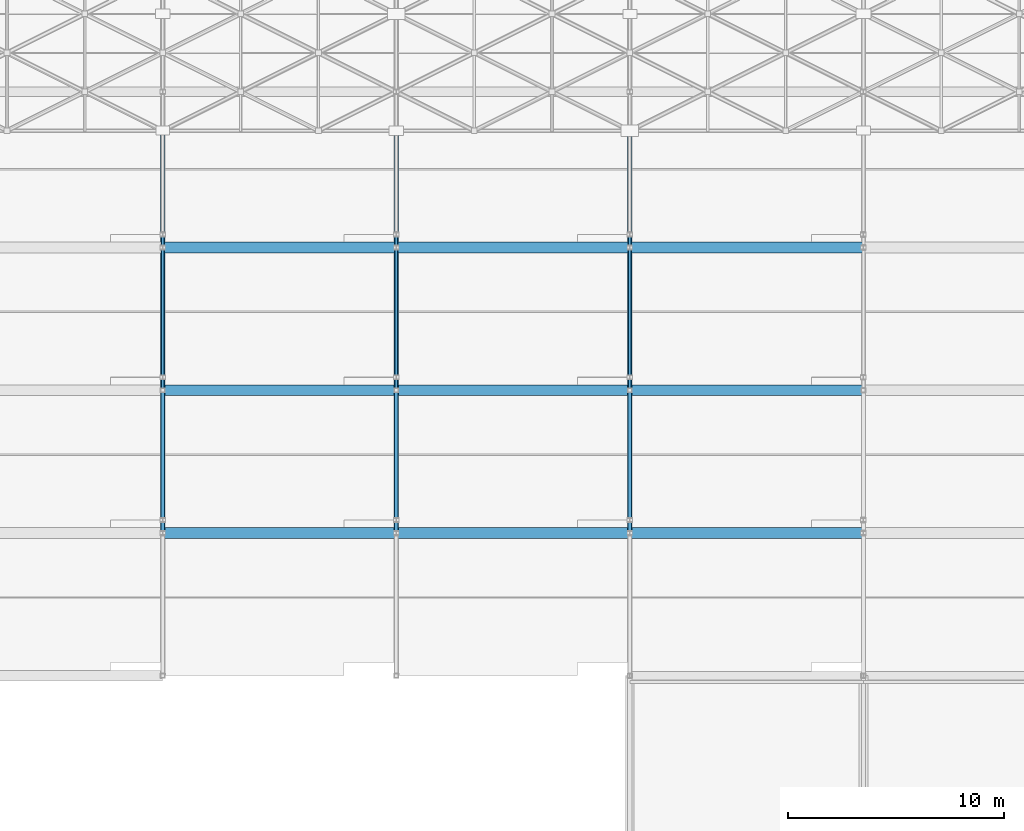
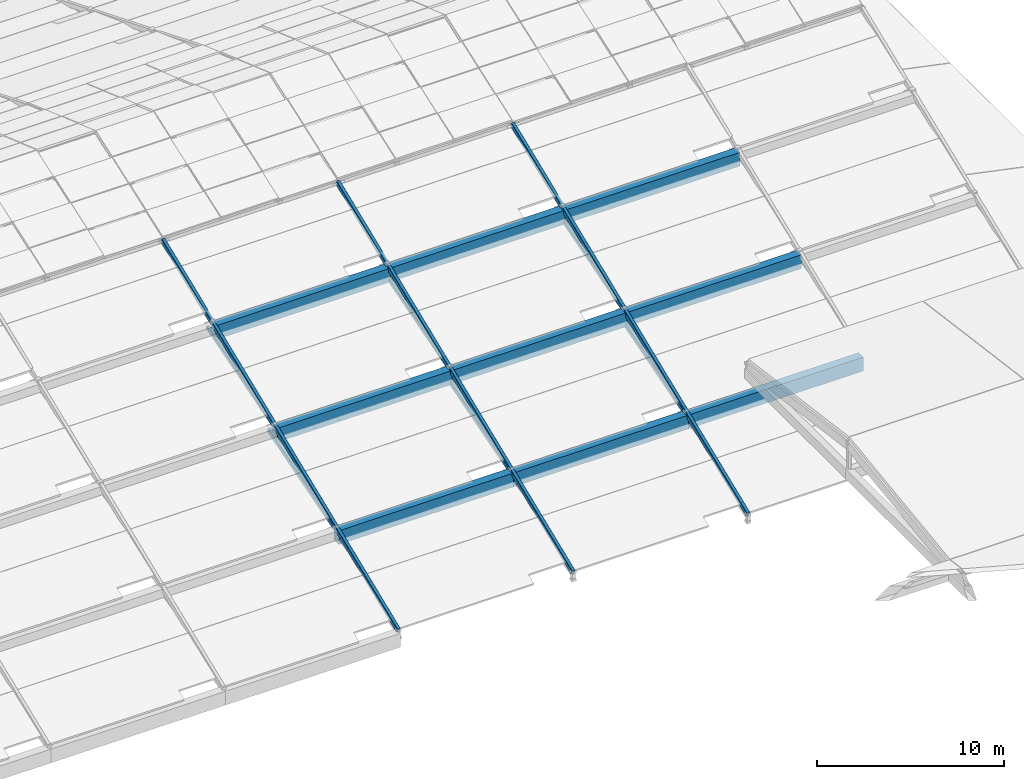
# One storey, part 57 of 112: 9 beams, 9 members.
"""IFC4 building model written with IfcOpenShell, lengths in metres."""

from ifc_helpers import new_model, si_unit, direction, frame, origin, origin_2d, place, context, subcontext, project, spatial, rectangle, hollow_rectangle, extrude, material, material_profile, profile_set, type_object, element, save


model = new_model("IFC4")

# Units and contexts
model_context = context("Model", 3, precision=1e-05, world=origin(), true_north=direction((0.0, 1.0)))
body_context = subcontext(model_context, "Body", "Model", "MODEL_VIEW")
ifc_project = project(units=[si_unit("LENGTHUNIT", "METRE"), si_unit("AREAUNIT", "SQUARE_METRE"), si_unit("VOLUMEUNIT", "CUBIC_METRE"), si_unit("PLANEANGLEUNIT", "RADIAN"), si_unit("MASSUNIT", "GRAM", prefix="KILO")], contexts=[model_context])

# Site, building, storey
site_placement = place(None, origin())
site = spatial("IfcSite", under=ifc_project, at=site_placement, CompositionType="ELEMENT")
building_placement = place(site_placement, origin())
building = spatial("IfcBuilding", under=site, at=building_placement, Name="Zwinboog Wholesale Market", CompositionType="ELEMENT")
storey_placement = place(building_placement, frame((0.0, 0.0, 19.080078125)))
storey = spatial("IfcBuildingStorey", under=building, at=storey_placement, Name="Roof", CompositionType="ELEMENT", Elevation=19.080078125)

# Beams
ifc_material_1 = material(Name="Precast concrete C45/55", Category="concrete")
ifc_material_profile_1 = material_profile(ifc_material_1, rectangle(XDim=0.5, YDim=0.89990234375, at=origin_2d()), Name="PC 500x900")
ifc_profile_set_1 = profile_set([ifc_material_profile_1], Name="Precast concrete C45/55")
beam_type = type_object("IfcBeamType", Name="BT-06", PredefinedType="BEAM", material=ifc_profile_set_1)
for number, where, z_axis, x_axis, name in (
    (1, (129.60009765625, 49.800048828125, -7.402099609375), (1.0, 0.0, 0.0), (0.0, 1.0, 0.0), "EB-01 (BMG-Roof-1296-0498-1112)"),
    (2, (129.60009765625, 56.39990234375, -4.716064453125), (1.0, 0.0, 0.0), (0.0, 1.0, 0.0), "EB-01 (BMG-Roof-1296-0564-1113)"),
    (3, (129.60009765625, 63.0, -2.031982421875), (1.0, 0.0, 0.0), (0.0, 1.0, 0.0), "EB-01 (BMG-Roof-1296-0630-1114)"),
):
    element("IfcBeam", number, at=place(storey_placement, frame(where, z_axis=z_axis, x_axis=x_axis)), inside=storey, type_object=beam_type, Name=name, PredefinedType="BEAM", context=body_context, shape_type="SweptSolid", body=[
        extrude(rectangle(XDim=0.5, YDim=0.89990234375, at=origin_2d()), origin(), (0.0, 0.0, 1.0), 10.7998046875),
    ])
for number, where, z_axis, x_axis, name in (
    (4, (140.39990234375, 49.800048828125, -7.402099609375), (1.0, 0.0, 0.0), (0.0, 1.0, 0.0), "EB-01 (BMG-Roof-1404-0498-1121)"),
    (5, (140.39990234375, 56.39990234375, -4.716064453125), (1.0, 0.0, 0.0), (0.0, 1.0, 0.0), "EB-01 (BMG-Roof-1404-0564-1122)"),
    (6, (140.39990234375, 63.0, -2.031982421875), (1.0, 0.0, 0.0), (0.0, 1.0, 0.0), "EB-01 (BMG-Roof-1404-0630-1123)"),
    (7, (151.199951171875, 49.800048828125, -7.402099609375), (1.0, 0.0, 0.0), (0.0, 1.0, 0.0), "EB-01 (BMG-Roof-1512-0498-1130)"),
    (8, (151.199951171875, 56.39990234375, -4.716064453125), (1.0, 0.0, 0.0), (0.0, 1.0, 0.0), "EB-01 (BMG-Roof-1512-0564-1131)"),
    (9, (151.199951171875, 63.0, -2.031982421875), (1.0, 0.0, 0.0), (0.0, 1.0, 0.0), "EB-01 (BMG-Roof-1512-0630-1132)"),
):
    element("IfcBeam", number, at=place(storey_placement, frame(where, z_axis=z_axis, x_axis=x_axis)), inside=storey, type_object=beam_type, Name=name, PredefinedType="BEAM", context=body_context, shape_type="SweptSolid", body=[
        extrude(rectangle(XDim=0.5, YDim=0.89990234375, at=origin_2d()), origin(), (0.0, 0.0, 1.0), 10.800048828125),
    ])

# Members
ifc_material_2 = material(Name="Steel S355", Category="steel")
ifc_material_profile_2 = material_profile(ifc_material_2, hollow_rectangle(XDim=0.199951171875, YDim=0.300048828125, WallThickness=0.012451171875, InnerFilletRadius=0.012451171875, OuterFilletRadius=0.02490234375, at=origin_2d()), Name="RHS 300x200x12.5")
ifc_profile_set_2 = profile_set([ifc_material_profile_2], Name="Steel S355")
member_type_1 = type_object("IfcMemberType", Name="MT-01", PredefinedType="CHORD", material=ifc_profile_set_2)
member_1_placement = place(storey_placement, frame((129.60009765625, 43.199951171875, -9.580078125), z_axis=(0.0, 0.926947185036, 0.375191839135), x_axis=(-1.0, 0.0, 0.0)))
element("IfcMember", 10, at=member_1_placement, inside=storey, type_object=member_type_1, Name="DC-01 (MEM-Roof-0181)", PredefinedType="CHORD", context=body_context, shape_type="SweptSolid", body=[
    extrude(hollow_rectangle(XDim=0.199951171875, YDim=0.300048828125, WallThickness=0.012451171875, InnerFilletRadius=0.012451171875, OuterFilletRadius=0.02490234375, at=origin_2d()), origin(), (0.0, 0.0, 1.0), 27.18603515625),
])
member_2_placement = place(storey_placement, frame((129.60009765625, 49.800048828125, -7.0), z_axis=(0.0, 0.958194819429, 0.286116563694), x_axis=(-1.0, 0.0, 0.0)))
element("IfcMember", 11, at=member_2_placement, inside=storey, type_object=member_type_1, Name="DC-01 (MEM-Roof-0187)", PredefinedType="CHORD", context=body_context, shape_type="SweptSolid", body=[
    extrude(hollow_rectangle(XDim=0.199951171875, YDim=0.300048828125, WallThickness=0.012451171875, InnerFilletRadius=0.012451171875, OuterFilletRadius=0.02490234375, at=origin_2d()), origin(), (0.0, 0.0, 1.0), 7.51416015625),
])
member_3_placement = place(storey_placement, frame((140.39990234375, 43.199951171875, -9.580078125), z_axis=(0.0, 0.926947185036, 0.375191839135), x_axis=(-1.0, 0.0, 0.0)))
element("IfcMember", 12, at=member_3_placement, inside=storey, type_object=member_type_1, Name="DC-01 (MEM-Roof-0211)", PredefinedType="CHORD", context=body_context, shape_type="SweptSolid", body=[
    extrude(hollow_rectangle(XDim=0.199951171875, YDim=0.300048828125, WallThickness=0.012451171875, InnerFilletRadius=0.012451171875, OuterFilletRadius=0.02490234375, at=origin_2d()), origin(), (0.0, 0.0, 1.0), 27.18603515625),
])
member_4_placement = place(storey_placement, frame((140.39990234375, 49.800048828125, -7.0), z_axis=(0.0, 0.958194819429, 0.286116563694), x_axis=(-1.0, 0.0, 0.0)))
element("IfcMember", 13, at=member_4_placement, inside=storey, type_object=member_type_1, Name="DC-01 (MEM-Roof-0217)", PredefinedType="CHORD", context=body_context, shape_type="SweptSolid", body=[
    extrude(hollow_rectangle(XDim=0.199951171875, YDim=0.300048828125, WallThickness=0.012451171875, InnerFilletRadius=0.012451171875, OuterFilletRadius=0.02490234375, at=origin_2d()), origin(), (0.0, 0.0, 1.0), 7.51416015625),
])
member_5_placement = place(storey_placement, frame((151.199951171875, 43.199951171875, -9.580078125), z_axis=(0.0, 0.926947185036, 0.375191839135), x_axis=(-1.0, 0.0, 0.0)))
element("IfcMember", 14, at=member_5_placement, inside=storey, type_object=member_type_1, Name="DC-01 (MEM-Roof-0241)", PredefinedType="CHORD", context=body_context, shape_type="SweptSolid", body=[
    extrude(hollow_rectangle(XDim=0.199951171875, YDim=0.300048828125, WallThickness=0.012451171875, InnerFilletRadius=0.012451171875, OuterFilletRadius=0.02490234375, at=origin_2d()), origin(), (0.0, 0.0, 1.0), 27.18603515625),
])
member_6_placement = place(storey_placement, frame((151.199951171875, 49.800048828125, -7.0), z_axis=(0.0, 0.958194819429, 0.286116563694), x_axis=(-1.0, 0.0, 0.0)))
element("IfcMember", 15, at=member_6_placement, inside=storey, type_object=member_type_1, Name="DC-01 (MEM-Roof-0247)", PredefinedType="CHORD", context=body_context, shape_type="SweptSolid", body=[
    extrude(hollow_rectangle(XDim=0.199951171875, YDim=0.300048828125, WallThickness=0.012451171875, InnerFilletRadius=0.012451171875, OuterFilletRadius=0.02490234375, at=origin_2d()), origin(), (0.0, 0.0, 1.0), 7.51416015625),
])
ifc_material_profile_3 = material_profile(ifc_material_2, hollow_rectangle(XDim=0.14990234375, YDim=0.25, WallThickness=0.010009765625, InnerFilletRadius=0.010009765625, OuterFilletRadius=0.02001953125, at=origin_2d()), Name="RHS 250x150x10")
ifc_profile_set_3 = profile_set([ifc_material_profile_3], Name="Steel S355")
member_type_2 = type_object("IfcMemberType", Name="MT-02", PredefinedType="CHORD", material=ifc_profile_set_3)
for number, where, z_axis, x_axis, name in (
    (16, (129.60009765625, 56.39990234375, -4.300048828125), (0.0, 0.958197479113, 0.28610765635), (-1.0, 0.0, 0.0), "DC-02 (MEM-Roof-0190)"),
    (17, (140.39990234375, 56.39990234375, -4.300048828125), (0.0, 0.958197479113, 0.28610765635), (-1.0, 0.0, 0.0), "DC-02 (MEM-Roof-0220)"),
    (18, (151.199951171875, 56.39990234375, -4.300048828125), (0.0, 0.958197479113, 0.28610765635), (-1.0, 0.0, 0.0), "DC-02 (MEM-Roof-0250)"),
):
    element("IfcMember", number, at=place(storey_placement, frame(where, z_axis=z_axis, x_axis=x_axis)), inside=storey, type_object=member_type_2, Name=name, PredefinedType="CHORD", context=body_context, shape_type="SweptSolid", body=[
        extrude(hollow_rectangle(XDim=0.14990234375, YDim=0.25, WallThickness=0.010009765625, InnerFilletRadius=0.010009765625, OuterFilletRadius=0.02001953125, at=origin_2d()), origin(), (0.0, 0.0, 1.0), 7.514404296875),
    ])

save(model, "model.ifc")
